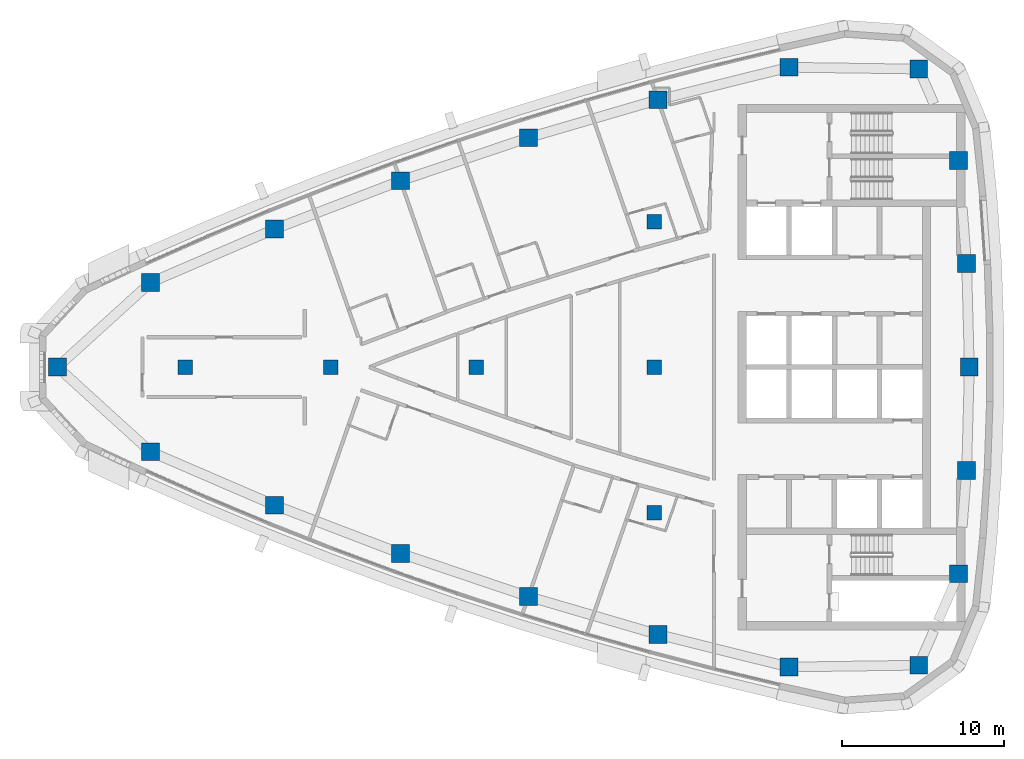
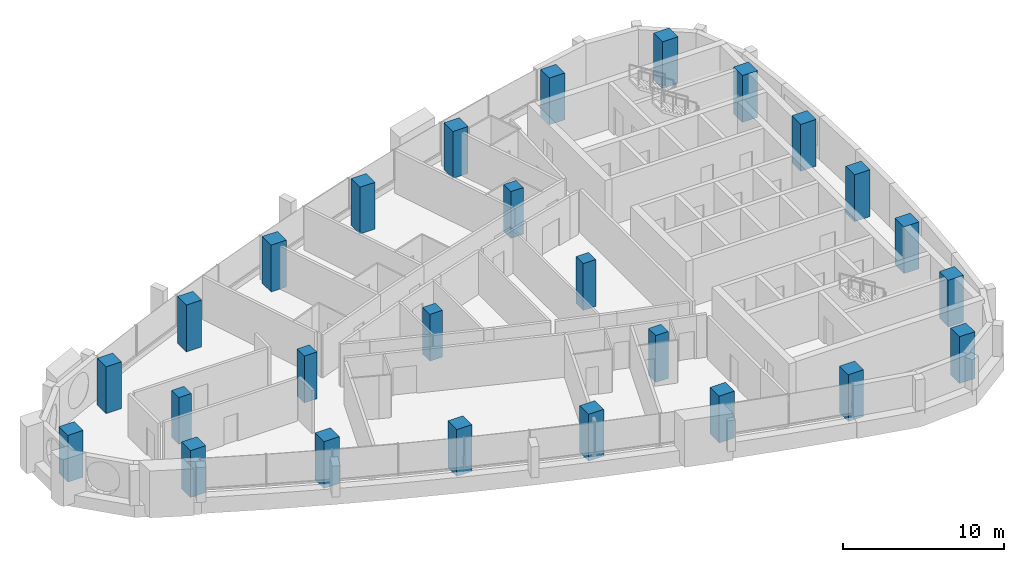
# One storey, part 1 of 14: 26 columns.
"""IFC4 building model written with IfcOpenShell, lengths in metres."""

from ifc_helpers import new_model, si_unit, direction, frame, origin, origin_2d, place, context, subcontext, project, spatial, rectangle, extrude, material, material_profile, profile_set, type_object, element, save


model = new_model("IFC4")

# Units and contexts
model_context = context("Model", 3, precision=1e-05, world=origin(), true_north=direction((0.0, 1.0)))
body_context = subcontext(model_context, "Body", "Model", "MODEL_VIEW")
ifc_project = project(units=[si_unit("LENGTHUNIT", "METRE"), si_unit("AREAUNIT", "SQUARE_METRE"), si_unit("VOLUMEUNIT", "CUBIC_METRE"), si_unit("PLANEANGLEUNIT", "RADIAN"), si_unit("MASSUNIT", "GRAM", prefix="KILO")], contexts=[model_context])

# Site, building, storey
site_placement = place(None, origin())
site = spatial("IfcSite", under=ifc_project, at=site_placement, CompositionType="ELEMENT")
building_placement = place(site_placement, origin())
building = spatial("IfcBuilding", under=site, at=building_placement, Name="Ostrand Prow Hotel Tower", CompositionType="ELEMENT")
storey_placement = place(building_placement, frame((0.0, 0.0, 296.300048828125)))
storey = spatial("IfcBuildingStorey", under=building, at=storey_placement, Name="L75", CompositionType="ELEMENT", Elevation=296.300048828125)

# Columns
ifc_material_1 = material(Name="Concrete C50/60", Category="concrete")
ifc_material_profile_1 = material_profile(ifc_material_1, rectangle(XDim=0.89990234375, YDim=0.89990234375, at=origin_2d()), Name="RC 900x900")
ifc_profile_set_1 = profile_set([ifc_material_profile_1], Name="Concrete C50/60")
column_type_1 = type_object("IfcColumnType", Name="Interior column 900x900 C50/60", PredefinedType="COLUMN", material=ifc_profile_set_1)
for number, where, z_axis, x_axis, name in (
    (1, (16.0, 0.0, 0.0), (0.0, 0.0, 1.0), (1.0, 0.0, 0.0), "Interior column 16C0"),
    (2, (25.0, 0.0, 0.0), (0.0, 0.0, 1.0), (1.0, 0.0, 0.0), "Interior column 25C0"),
    (3, (34.0, 0.0, 0.0), (0.0, 0.0, 1.0), (1.0, 0.0, 0.0), "Interior column 34C0"),
    (4, (45.0, -9.0, 0.0), (0.0, 0.0, 1.0), (1.0, 0.0, 0.0), "Interior column 45S9"),
    (5, (45.0, 0.0, 0.0), (0.0, 0.0, 1.0), (1.0, 0.0, 0.0), "Interior column 45C0"),
    (6, (45.0, 9.0, 0.0), (0.0, 0.0, 1.0), (1.0, 0.0, 0.0), "Interior column 45N9"),
):
    element("IfcColumn", number, at=place(storey_placement, frame(where, z_axis=z_axis, x_axis=x_axis)), inside=storey, type_object=column_type_1, Name=name, PredefinedType="COLUMN", context=body_context, shape_type="SweptSolid", body=[
        extrude(rectangle(XDim=0.89990234375, YDim=0.89990234375, at=origin_2d()), origin(), (0.0, 0.0, 1.0), 3.550048828125),
    ])
ifc_material_2 = material(Name="Concrete C50/60", Category="concrete")
ifc_material_profile_2 = material_profile(ifc_material_2, rectangle(XDim=1.10009765625, YDim=1.10009765625, at=origin_2d()), Name="RC 1100x1100")
ifc_profile_set_2 = profile_set([ifc_material_profile_2], Name="Concrete C50/60")
column_type_2 = type_object("IfcColumnType", Name="Stone-faced mega column 1100x1100 C50/60", PredefinedType="COLUMN", material=ifc_profile_set_2)
for number, where, z_axis, x_axis, name in (
    (7, (8.082763671875, 0.0, 0.0), (0.0, 0.0, 1.0), (1.0, 0.0, 0.0), "Mega column P"),
    (8, (13.846435546875, -5.23681640625, 0.0), (0.0, 0.0, 1.0), (1.0, 0.0, 0.0), "Mega column S1"),
    (9, (21.51416015625, -8.5400390625, 0.0), (0.0, 0.0, 1.0), (1.0, 0.0, 0.0), "Mega column S2"),
    (10, (29.31005859375, -11.528076171875, 0.0), (0.0, 0.0, 1.0), (1.0, 0.0, 0.0), "Mega column S3"),
    (11, (37.22119140625, -14.19580078125, 0.0), (0.0, 0.0, 1.0), (1.0, 0.0, 0.0), "Mega column S4"),
    (12, (45.234619140625, -16.53857421875, 0.0), (0.0, 0.0, 1.0), (1.0, 0.0, 0.0), "Mega column S5"),
    (13, (53.3369140625, -18.552978515625, 0.0), (0.0, 0.0, 1.0), (1.0, 0.0, 0.0), "Mega column S6"),
    (14, (61.374267578125, -18.439697265625, 0.0), (0.0, 0.0, 1.0), (1.0, 0.0, 0.0), "Mega column SE"),
    (15, (63.831787109375, -12.7890625, 0.0), (0.0, 0.0, 1.0), (1.0, 0.0, 0.0), "Mega column B1"),
    (16, (64.332763671875, -6.4033203125, 0.0), (0.0, 0.0, 1.0), (1.0, 0.0, 0.0), "Mega column B2"),
    (17, (64.5, 0.0, 0.0), (0.0, 0.0, 1.0), (1.0, 0.0, 0.0), "Mega column B3"),
    (18, (64.332763671875, 6.4033203125, 0.0), (0.0, 0.0, 1.0), (1.0, 0.0, 0.0), "Mega column B4"),
    (19, (63.831787109375, 12.7890625, 0.0), (0.0, 0.0, 1.0), (1.0, 0.0, 0.0), "Mega column B5"),
    (20, (61.374267578125, 18.439697265625, 0.0), (0.0, 0.0, 1.0), (1.0, 0.0, 0.0), "Mega column NE"),
    (21, (53.3369140625, 18.552978515625, 0.0), (0.0, 0.0, 1.0), (1.0, 0.0, 0.0), "Mega column N1"),
    (22, (45.234619140625, 16.53857421875, 0.0), (0.0, 0.0, 1.0), (1.0, 0.0, 0.0), "Mega column N2"),
    (23, (37.22119140625, 14.19580078125, 0.0), (0.0, 0.0, 1.0), (1.0, 0.0, 0.0), "Mega column N3"),
    (24, (29.31005859375, 11.528076171875, 0.0), (0.0, 0.0, 1.0), (1.0, 0.0, 0.0), "Mega column N4"),
    (25, (21.51416015625, 8.5400390625, 0.0), (0.0, 0.0, 1.0), (1.0, 0.0, 0.0), "Mega column N5"),
    (26, (13.846435546875, 5.23681640625, 0.0), (0.0, 0.0, 1.0), (1.0, 0.0, 0.0), "Mega column N6"),
):
    element("IfcColumn", number, at=place(storey_placement, frame(where, z_axis=z_axis, x_axis=x_axis)), inside=storey, type_object=column_type_2, Name=name, PredefinedType="COLUMN", context=body_context, shape_type="SweptSolid", body=[
        extrude(rectangle(XDim=1.10009765625, YDim=1.10009765625, at=origin_2d()), origin(), (0.0, 0.0, 1.0), 3.550048828125),
    ])

save(model, "model.ifc")
